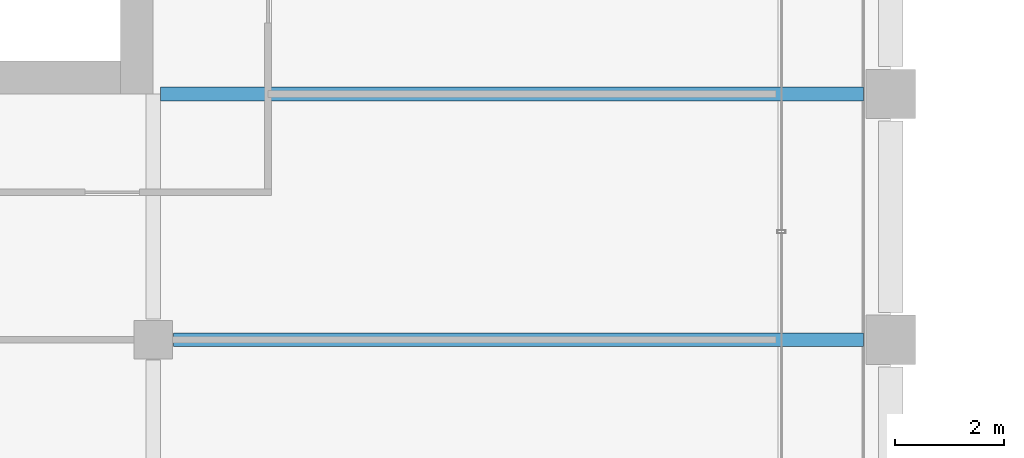
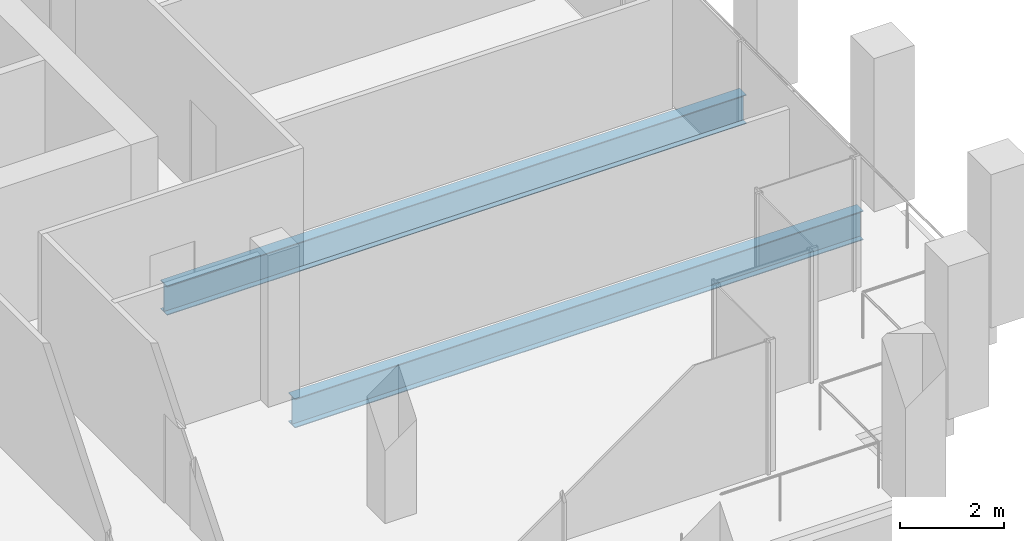
# One storey, part 14 of 44: 2 beams.
"""IFC4 building model written with IfcOpenShell, lengths in metres."""

from ifc_helpers import new_model, si_unit, direction, frame, origin, origin_2d, place, context, subcontext, project, spatial, i_section, extrude, material, material_profile, profile_set, type_object, element, save


model = new_model("IFC4")

# Units and contexts
model_context = context("Model", 3, precision=1e-05, world=origin(), true_north=direction((0.0, 1.0)))
body_context = subcontext(model_context, "Body", "Model", "MODEL_VIEW")
ifc_project = project(units=[si_unit("LENGTHUNIT", "METRE"), si_unit("AREAUNIT", "SQUARE_METRE"), si_unit("VOLUMEUNIT", "CUBIC_METRE"), si_unit("PLANEANGLEUNIT", "RADIAN"), si_unit("MASSUNIT", "GRAM", prefix="KILO")], contexts=[model_context])

# Site, building, storey
site_placement = place(None, origin())
site = spatial("IfcSite", under=ifc_project, at=site_placement, CompositionType="ELEMENT")
building_placement = place(site_placement, origin())
building = spatial("IfcBuilding", under=site, at=building_placement, Name="Altepetl Exchange Towers", CompositionType="ELEMENT")
storey_placement = place(building_placement, frame((0.0, 0.0, 143.800048828125)))
storey = spatial("IfcBuildingStorey", under=building, at=storey_placement, Name="L35", CompositionType="ELEMENT", Elevation=143.800048828125)

# Beams
ifc_material = material(Name="Steel S355", Category="steel")
ifc_material_profile = material_profile(ifc_material, i_section(OverallWidth=0.25390625, OverallDepth=0.68408203125, WebThickness=0.012451171875, FlangeThickness=0.018798828125, at=origin_2d()), Name="W27X94")
ifc_profile_set = profile_set([ifc_material_profile], Name="Steel S355")
beam_type = type_object("IfcBeamType", Name="Floor beam W27X94", PredefinedType="BEAM", material=ifc_profile_set)
beam_1_placement = place(storey_placement, frame((58.875, 36.0, -0.491943359375), z_axis=(1.0, 0.0, 0.0), x_axis=(0.0, 1.0, 0.0)))
element("IfcBeam", 1, at=beam_1_placement, inside=storey, type_object=beam_type, Name="bm:A:L35:007", PredefinedType="BEAM", context=body_context, shape_type="SweptSolid", body=[
    extrude(i_section(OverallWidth=0.25390625, OverallDepth=0.68408203125, WebThickness=0.012451171875, FlangeThickness=0.018798828125, at=origin_2d()), origin(), (0.0, 0.0, 1.0), 12.625),
])
beam_2_placement = place(storey_placement, frame((58.634033203125, 40.5, -0.491943359375), z_axis=(1.0, 0.0, 0.0), x_axis=(0.0, 1.0, 0.0)))
element("IfcBeam", 2, at=beam_2_placement, inside=storey, type_object=beam_type, Name="bm:A:L35:008", PredefinedType="BEAM", context=body_context, shape_type="SweptSolid", body=[
    extrude(i_section(OverallWidth=0.25390625, OverallDepth=0.68408203125, WebThickness=0.012451171875, FlangeThickness=0.018798828125, at=origin_2d()), origin(), (0.0, 0.0, 1.0), 12.865966796875),
])

save(model, "model.ifc")
